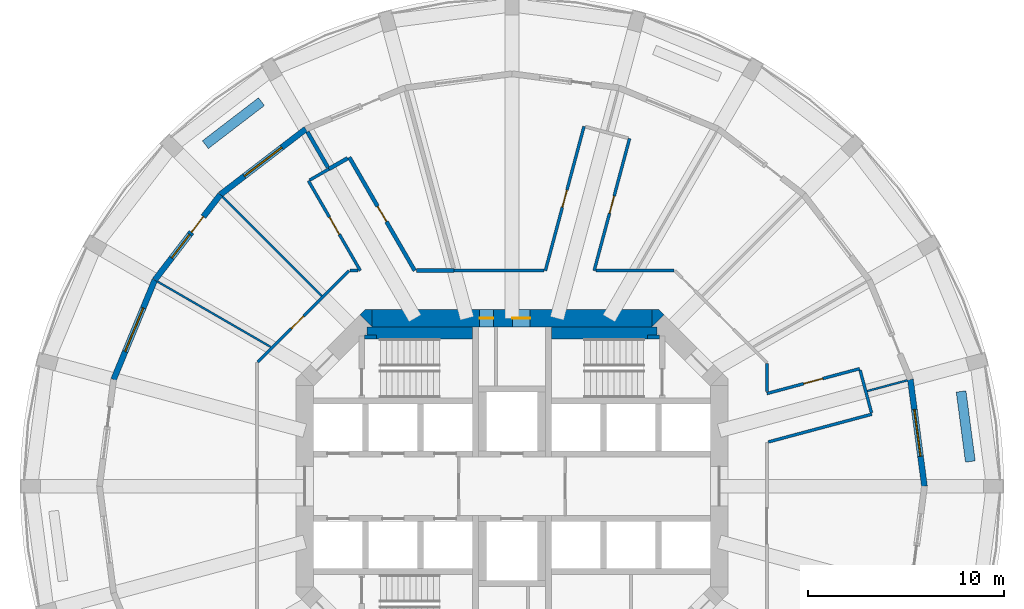
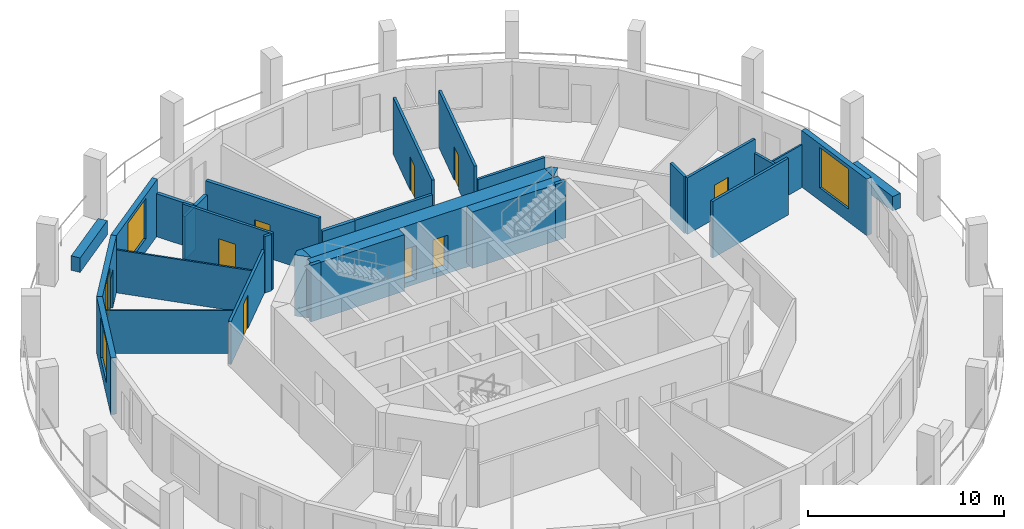
# One storey, part 5 of 8: 32 walls, 9 doors, 4 windows, 13 openings.
"""IFC4 building model written with IfcOpenShell, lengths in metres."""

from ifc_helpers import new_model, si_unit, direction, frame, frame_2d, origin, place, context, subcontext, project, spatial, polyline, rectangle, outline, extrude, material, layer, layer_set, type_object, element, fill, save


model = new_model("IFC4")

# Units and contexts
model_context = context("Model", 3, precision=1e-05, world=origin(), true_north=direction((0.0, 1.0)))
body_context = subcontext(model_context, "Body", "Model", "MODEL_VIEW")
ifc_project = project(units=[si_unit("LENGTHUNIT", "METRE"), si_unit("AREAUNIT", "SQUARE_METRE"), si_unit("VOLUMEUNIT", "CUBIC_METRE"), si_unit("PLANEANGLEUNIT", "RADIAN"), si_unit("MASSUNIT", "GRAM", prefix="KILO")], contexts=[model_context])

# Site, building, storey
site_placement = place(None, origin())
site = spatial("IfcSite", under=ifc_project, at=site_placement, CompositionType="ELEMENT")
building_placement = place(site_placement, origin())
building = spatial("IfcBuilding", under=site, at=building_placement, Name="Torre Triforio", CompositionType="ELEMENT")
storey_placement = place(building_placement, frame((0.0, 0.0, 135.199951171875)))
storey = spatial("IfcBuildingStorey", under=building, at=storey_placement, Name="L30", CompositionType="ELEMENT", Elevation=135.199951171875)

# Wall, openings, doors
ifc_material_1 = material(Name="Concrete C60", Category="concrete")
ifc_layer_1 = layer(ifc_material_1, 0.89990234375)
ifc_layer_set_1 = layer_set([ifc_layer_1], Name="Concrete C60")
wall_type_1 = type_object("IfcWallType", Name="Core wall 900 mm C60 EI 120", PredefinedType="SHEAR", material=ifc_layer_set_1)
wall_1_placement = place(storey_placement, frame((-7.1298828125, 8.550048828125, -0.280029296875), z_axis=(0.0, 0.0, 1.0), x_axis=(1.0, 0.0, 0.0)))
wall_1 = element("IfcWall", 1, at=wall_1_placement, inside=storey, type_object=wall_type_1, Name="Core wall", PredefinedType="SHEAR", context=body_context, shape_type="SweptSolid", body=[
    extrude(rectangle(XDim=14.259765625, YDim=0.89990234375, at=frame_2d((7.1298828125, 0.0))), origin(), (0.0, 0.0, 1.0), 3.800048828125),
])
opening_1_placement = place(wall_1_placement, frame((5.47998046875, 0.0, 0.280029296875)))
opening_1 = element("IfcOpeningElement", 2, at=opening_1_placement, cuts=wall_1, Name="Opening RISER-N", PredefinedType="OPENING", context=body_context, shape_type="SweptSolid", body=[
    extrude(rectangle(XDim=0.699951171875, YDim=2.10009765625, at=frame_2d((0.35009765625, 1.050048828125))), frame((0.0, 0.4599609375, 0.0), z_axis=(0.0, -1.0, 0.0), x_axis=(1.0, 0.0, 0.0)), (0.0, 0.0, 1.0), 0.919921875),
])
opening_2_placement = place(wall_1_placement, frame((7.155029296875, 0.0, 0.280029296875)))
opening_2 = element("IfcOpeningElement", 3, at=opening_2_placement, cuts=wall_1, Name="Opening NE-01", PredefinedType="OPENING", context=body_context, shape_type="SweptSolid", body=[
    extrude(rectangle(XDim=0.89990234375, YDim=2.10009765625, at=frame_2d((0.449951171875, 1.050048828125))), frame((0.0, 0.4599609375, 0.0), z_axis=(0.0, -1.0, 0.0), x_axis=(1.0, 0.0, 0.0)), (0.0, 0.0, 1.0), 0.919921875),
])
ifc_material_2 = material(Name="Hollow metal fire door leaf")
door_type_1 = type_object("IfcDoorType", Name="Riser door 700 x 2100 EI 60", OperationType="NOTDEFINED", PredefinedType="DOOR", material=ifc_material_2)
door_1_placement = place(opening_1_placement, origin())
door_1 = element("IfcDoor", 4, at=door_1_placement, inside=storey, type_object=door_type_1, Name="Core door RISER-N", OperationType="SINGLE_SWING_RIGHT", OverallHeight=2.10009765625, OverallWidth=0.699951171875, PredefinedType="DOOR", context=body_context, shape_type="SweptSolid", body=[
    extrude(rectangle(XDim=0.699951171875, YDim=2.10009765625, at=frame_2d((0.35009765625, 1.050048828125))), frame((0.0, 0.02490234375, 0.0), z_axis=(0.0, -1.0, 0.0), x_axis=(1.0, 0.0, 0.0)), (0.0, 0.0, 1.0), 0.050048828125),
])
fill(opening_1, door_1)
door_type_2 = type_object("IfcDoorType", Name="Room door 900 x 2100 EI 60", OperationType="NOTDEFINED", PredefinedType="DOOR", material=ifc_material_2)
door_2_placement = place(opening_2_placement, origin())
door_2 = element("IfcDoor", 5, at=door_2_placement, inside=storey, type_object=door_type_2, Name="Core door NE-01", OperationType="SINGLE_SWING_RIGHT", OverallHeight=2.10009765625, OverallWidth=0.89990234375, PredefinedType="DOOR", context=body_context, shape_type="SweptSolid", body=[
    extrude(rectangle(XDim=0.89990234375, YDim=2.10009765625, at=frame_2d((0.449951171875, 1.050048828125))), frame((0.0, 0.02490234375, 0.0), z_axis=(0.0, -1.0, 0.0), x_axis=(1.0, 0.0, 0.0)), (0.0, 0.0, 1.0), 0.050048828125),
])
fill(opening_2, door_2)

# Walls
wall_2_placement = place(storey_placement, frame((0.0, 0.0, -0.280029296875)))
element("IfcWall", 6, at=wall_2_placement, inside=storey, type_object=wall_type_1, Name="Core wall", PredefinedType="SHEAR", context=body_context, shape_type="SweptSolid", body=[
    extrude(outline(polyline([(-7.472900390625, 9.0), (-7.1298828125, 9.0), (-7.1298828125, 8.1298828125), (-7.736328125, 8.736328125), (-7.472900390625, 9.0)])), origin(), (0.0, 0.0, 1.0), 3.800048828125),
])
wall_3_placement = place(storey_placement, frame((0.0, 0.0, -0.280029296875)))
element("IfcWall", 7, at=wall_3_placement, inside=storey, type_object=wall_type_1, Name="Core wall", PredefinedType="SHEAR", context=body_context, shape_type="SweptSolid", body=[
    extrude(outline(polyline([(7.472900390625, 9.0), (7.736328125, 8.736328125), (7.1298828125, 8.1298828125), (7.1298828125, 9.0), (7.472900390625, 9.0)])), origin(), (0.0, 0.0, 1.0), 3.800048828125),
])

# Wall, opening, door
ifc_material_3 = material(Name="Plasterboard on metal studs")
ifc_layer_2 = layer(ifc_material_3, 0.14990234375)
ifc_layer_set_2 = layer_set([ifc_layer_2], Name="Plasterboard on metal studs")
wall_type_2 = type_object("IfcWallType", Name="Corridor and tenancy wall 150 mm EI 60", PredefinedType="PARTITIONING", material=ifc_layer_set_2)
wall_4_placement = place(storey_placement, frame((-12.93798828125, 6.327880859375, 0.0), z_axis=(0.0, 0.0, 1.0), x_axis=(0.707088206597, 0.707125355289, 0.0)))
wall_4 = element("IfcWall", 8, at=wall_4_placement, inside=storey, type_object=wall_type_2, Name="Partition 5", PredefinedType="PARTITIONING", context=body_context, shape_type="SweptSolid", body=[
    extrude(rectangle(XDim=6.572021484375, YDim=0.14990234375, at=frame_2d((3.2861328125, 0.0))), origin(), (0.0, 0.0, 1.0), 2.670166015625),
])
opening_3_placement = place(wall_4_placement, frame((2.39794921875, 0.0, 0.0)))
opening_3 = element("IfcOpeningElement", 9, at=opening_3_placement, cuts=wall_4, Name="Opening D2-15", PredefinedType="OPENING", context=body_context, shape_type="SweptSolid", body=[
    extrude(rectangle(XDim=0.89990234375, YDim=2.10009765625, at=frame_2d((0.449951171875, 1.050048828125))), frame((0.0, 0.0849609375, 0.0), z_axis=(0.0, -1.0, 0.0), x_axis=(1.0, 0.0, 0.0)), (0.0, 0.0, 1.0), 0.169921875),
])
ifc_material_4 = material(Name="Timber", Category="wood")
door_type_3 = type_object("IfcDoorType", Name="Door 900 x 2100 single leaf EI 30", OperationType="NOTDEFINED", PredefinedType="DOOR", material=ifc_material_4)
door_3_placement = place(opening_3_placement, origin())
door_3 = element("IfcDoor", 10, at=door_3_placement, inside=storey, type_object=door_type_3, Name="Door D2-15", OperationType="SINGLE_SWING_LEFT", OverallHeight=2.10009765625, OverallWidth=0.89990234375, PredefinedType="DOOR", context=body_context, shape_type="SweptSolid", body=[
    extrude(rectangle(XDim=0.89990234375, YDim=2.10009765625, at=frame_2d((0.449951171875, 1.050048828125))), frame((0.0, 0.02490234375, 0.0), z_axis=(0.0, -1.0, 0.0), x_axis=(1.0, 0.0, 0.0)), (0.0, 0.0, 1.0), 0.050048828125),
])
fill(opening_3, door_3)

# Wall
wall_5_placement = place(storey_placement, frame((-8.23828125, 10.97509765625, 0.0), z_axis=(0.0, 0.0, 1.0), x_axis=(1.0, 0.0, 0.0)))
element("IfcWall", 11, at=wall_5_placement, inside=storey, type_object=wall_type_2, Name="Partition 6", PredefinedType="PARTITIONING", context=body_context, shape_type="SweptSolid", body=[
    extrude(rectangle(XDim=0.38623046875, YDim=0.14990234375, at=frame_2d((0.193115234375, 0.0))), origin(), (0.0, 0.0, 1.0), 3.52001953125),
])

# Wall, opening, door
wall_6_placement = place(storey_placement, frame((-7.72216796875, 10.97509765625, 0.0), z_axis=(0.0, 0.0, 1.0), x_axis=(-0.499981143329, 0.866036290415, 0.0)))
wall_6 = element("IfcWall", 12, at=wall_6_placement, inside=storey, type_object=wall_type_2, Name="Partition 7", PredefinedType="PARTITIONING", context=body_context, shape_type="SweptSolid", body=[
    extrude(rectangle(XDim=5.282958984375, YDim=0.14990234375, at=frame_2d((2.6416015625, 0.0))), origin(), (0.0, 0.0, 1.0), 3.52001953125),
])
opening_4_placement = place(wall_6_placement, frame((2.1416015625, 0.0, 0.0)))
opening_4 = element("IfcOpeningElement", 13, at=opening_4_placement, cuts=wall_6, Name="Opening D2-14", PredefinedType="OPENING", context=body_context, shape_type="SweptSolid", body=[
    extrude(rectangle(XDim=1.0, YDim=2.10009765625, at=frame_2d((0.5, 1.050048828125))), frame((0.0, 0.0849609375, 0.0), z_axis=(0.0, -1.0, 0.0), x_axis=(1.0, 0.0, 0.0)), (0.0, 0.0, 1.0), 0.169921875),
])
door_type_4 = type_object("IfcDoorType", Name="Door 1000 x 2100 single leaf EI 30", OperationType="NOTDEFINED", PredefinedType="DOOR", material=ifc_material_4)
door_4_placement = place(opening_4_placement, origin())
door_4 = element("IfcDoor", 14, at=door_4_placement, inside=storey, type_object=door_type_4, Name="Door D2-14", OperationType="SINGLE_SWING_LEFT", OverallHeight=2.10009765625, OverallWidth=1.0, PredefinedType="DOOR", context=body_context, shape_type="SweptSolid", body=[
    extrude(rectangle(XDim=1.0, YDim=2.10009765625, at=frame_2d((0.5, 1.050048828125))), frame((0.0, 0.02490234375, 0.0), z_axis=(0.0, -1.0, 0.0), x_axis=(1.0, 0.0, 0.0)), (0.0, 0.0, 1.0), 0.050048828125),
])
fill(opening_4, door_4)

# Walls
wall_7_placement = place(storey_placement, frame((-10.298583984375, 15.587890625, 0.0), z_axis=(0.0, 0.0, 1.0), x_axis=(0.86599040064, 0.500060622324, 0.0)))
element("IfcWall", 15, at=wall_7_placement, inside=storey, type_object=wall_type_2, Name="Partition 8", PredefinedType="PARTITIONING", context=body_context, shape_type="SweptSolid", body=[
    extrude(rectangle(XDim=1.124755859375, YDim=0.14990234375, at=frame_2d((0.5625, 0.0))), origin(), (0.0, 0.0, 1.0), 2.670166015625),
])
wall_8_placement = place(storey_placement, frame((-2.940673828125, 10.97509765625, 0.0), z_axis=(0.0, 0.0, 1.0), x_axis=(1.0, 0.0, 0.0)))
element("IfcWall", 16, at=wall_8_placement, inside=storey, type_object=wall_type_2, Name="Partition 12", PredefinedType="PARTITIONING", context=body_context, shape_type="SweptSolid", body=[
    extrude(rectangle(XDim=4.566650390625, YDim=0.14990234375, at=frame_2d((2.283203125, 0.0))), origin(), (0.0, 0.0, 1.0), 2.670166015625),
])

# Wall, opening, door
wall_9_placement = place(storey_placement, frame((1.698486328125, 10.97509765625, 0.0), z_axis=(0.0, 0.0, 1.0), x_axis=(0.258810940308, 0.965927997926, 0.0)))
wall_9 = element("IfcWall", 17, at=wall_9_placement, inside=storey, type_object=wall_type_2, Name="Partition 13", PredefinedType="PARTITIONING", context=body_context, shape_type="SweptSolid", body=[
    extrude(rectangle(XDim=7.60791015625, YDim=0.14990234375, at=frame_2d((3.803955078125, 0.0))), origin(), (0.0, 0.0, 1.0), 3.52001953125),
])
opening_5_placement = place(wall_9_placement, frame((3.35400390625, 0.0, 0.0)))
opening_5 = element("IfcOpeningElement", 18, at=opening_5_placement, cuts=wall_9, Name="Opening D2-12", PredefinedType="OPENING", context=body_context, shape_type="SweptSolid", body=[
    extrude(rectangle(XDim=0.89990234375, YDim=2.10009765625, at=frame_2d((0.449951171875, 1.050048828125))), frame((0.0, 0.0849609375, 0.0), z_axis=(0.0, -1.0, 0.0), x_axis=(1.0, 0.0, 0.0)), (0.0, 0.0, 1.0), 0.169921875),
])
door_5_placement = place(opening_5_placement, origin())
door_5 = element("IfcDoor", 19, at=door_5_placement, inside=storey, type_object=door_type_3, Name="Door D2-12", OperationType="SINGLE_SWING_LEFT", OverallHeight=2.10009765625, OverallWidth=0.89990234375, PredefinedType="DOOR", context=body_context, shape_type="SweptSolid", body=[
    extrude(rectangle(XDim=0.89990234375, YDim=2.10009765625, at=frame_2d((0.449951171875, 1.050048828125))), frame((0.0, 0.02490234375, 0.0), z_axis=(0.0, -1.0, 0.0), x_axis=(1.0, 0.0, 0.0)), (0.0, 0.0, 1.0), 0.050048828125),
])
fill(opening_5, door_5)

wall_10_placement = place(storey_placement, frame((5.98583984375, 17.70263671875, 0.0), z_axis=(0.0, 0.0, 1.0), x_axis=(-0.258831867169, -0.965922390535, 0.0)))
wall_10 = element("IfcWall", 20, at=wall_10_placement, inside=storey, type_object=wall_type_2, Name="Partition 15", PredefinedType="PARTITIONING", context=body_context, shape_type="SweptSolid", body=[
    extrude(rectangle(XDim=6.96484375, YDim=0.14990234375, at=frame_2d((3.482421875, 0.0))), origin(), (0.0, 0.0, 1.0), 3.52001953125),
])
opening_6_placement = place(wall_10_placement, frame((3.032470703125, 0.0, 0.0)))
opening_6 = element("IfcOpeningElement", 21, at=opening_6_placement, cuts=wall_10, Name="Opening D2-11", PredefinedType="OPENING", context=body_context, shape_type="SweptSolid", body=[
    extrude(rectangle(XDim=0.89990234375, YDim=2.10009765625, at=frame_2d((0.449951171875, 1.050048828125))), frame((0.0, 0.0849609375, 0.0), z_axis=(0.0, -1.0, 0.0), x_axis=(1.0, 0.0, 0.0)), (0.0, 0.0, 1.0), 0.169921875),
])
door_6_placement = place(opening_6_placement, origin())
door_6 = element("IfcDoor", 22, at=door_6_placement, inside=storey, type_object=door_type_3, Name="Door D2-11", OperationType="SINGLE_SWING_LEFT", OverallHeight=2.10009765625, OverallWidth=0.89990234375, PredefinedType="DOOR", context=body_context, shape_type="SweptSolid", body=[
    extrude(rectangle(XDim=0.89990234375, YDim=2.10009765625, at=frame_2d((0.449951171875, 1.050048828125))), frame((0.0, 0.02490234375, 0.0), z_axis=(0.0, -1.0, 0.0), x_axis=(1.0, 0.0, 0.0)), (0.0, 0.0, 1.0), 0.050048828125),
])
fill(opening_6, door_6)

# Walls
wall_11_placement = place(storey_placement, frame((4.280517578125, 10.97509765625, 0.0), z_axis=(0.0, 0.0, 1.0), x_axis=(1.0, 0.0, 0.0)))
element("IfcWall", 23, at=wall_11_placement, inside=storey, type_object=wall_type_2, Name="Partition 16", PredefinedType="PARTITIONING", context=body_context, shape_type="SweptSolid", body=[
    extrude(rectangle(XDim=3.957763671875, YDim=0.14990234375, at=frame_2d((1.97900390625, 0.0))), origin(), (0.0, 0.0, 1.0), 2.670166015625),
])
wall_12_placement = place(storey_placement, frame((12.97509765625, 6.23828125, 0.0), z_axis=(0.0, 0.0, 1.0), x_axis=(0.0, -1.0, 0.0)))
element("IfcWall", 24, at=wall_12_placement, inside=storey, type_object=wall_type_2, Name="Partition 18", PredefinedType="PARTITIONING", context=body_context, shape_type="SweptSolid", body=[
    extrude(rectangle(XDim=1.421875, YDim=0.14990234375, at=frame_2d((0.7109375, 0.0))), origin(), (0.0, 0.0, 1.0), 3.52001953125),
])

# Wall, opening, door
wall_13_placement = place(storey_placement, frame((12.97509765625, 4.718994140625, 0.0), z_axis=(0.0, 0.0, 1.0), x_axis=(0.965920440817, 0.258839143121, 0.0)))
wall_13 = element("IfcWall", 25, at=wall_13_placement, inside=storey, type_object=wall_type_2, Name="Partition 19", PredefinedType="PARTITIONING", context=body_context, shape_type="SweptSolid", body=[
    extrude(rectangle(XDim=4.894287109375, YDim=0.14990234375, at=frame_2d((2.447265625, 0.0))), origin(), (0.0, 0.0, 1.0), 3.52001953125),
])
opening_7_placement = place(wall_13_placement, frame((1.947265625, 0.0, 0.0)))
opening_7 = element("IfcOpeningElement", 26, at=opening_7_placement, cuts=wall_13, Name="Opening D2-08", PredefinedType="OPENING", context=body_context, shape_type="SweptSolid", body=[
    extrude(rectangle(XDim=1.0, YDim=2.10009765625, at=frame_2d((0.5, 1.050048828125))), frame((0.0, 0.0849609375, 0.0), z_axis=(0.0, -1.0, 0.0), x_axis=(1.0, 0.0, 0.0)), (0.0, 0.0, 1.0), 0.169921875),
])
door_7_placement = place(opening_7_placement, origin())
door_7 = element("IfcDoor", 27, at=door_7_placement, inside=storey, type_object=door_type_4, Name="Door D2-08", OperationType="SINGLE_SWING_LEFT", OverallHeight=2.10009765625, OverallWidth=1.0, PredefinedType="DOOR", context=body_context, shape_type="SweptSolid", body=[
    extrude(rectangle(XDim=1.0, YDim=2.10009765625, at=frame_2d((0.5, 1.050048828125))), frame((0.0, 0.02490234375, 0.0), z_axis=(0.0, -1.0, 0.0), x_axis=(1.0, 0.0, 0.0)), (0.0, 0.0, 1.0), 0.050048828125),
])
fill(opening_7, door_7)

# Walls
wall_14_placement = place(storey_placement, frame((17.72216796875, 5.913330078125, 0.0), z_axis=(0.0, 0.0, 1.0), x_axis=(0.25879032241, -0.965933522054, 0.0)))
element("IfcWall", 28, at=wall_14_placement, inside=storey, type_object=wall_type_2, Name="Partition 20", PredefinedType="PARTITIONING", context=body_context, shape_type="SweptSolid", body=[
    extrude(rectangle(XDim=2.25, YDim=0.14990234375, at=frame_2d((1.125, 0.0))), origin(), (0.0, 0.0, 1.0), 2.670166015625),
])
wall_15_placement = place(storey_placement, frame((18.32373046875, 3.66748046875, 0.0), z_axis=(0.0, 0.0, 1.0), x_axis=(-0.965932498402, -0.258794143153, 0.0)))
element("IfcWall", 29, at=wall_15_placement, inside=storey, type_object=wall_type_2, Name="Partition 21", PredefinedType="PARTITIONING", context=body_context, shape_type="SweptSolid", body=[
    extrude(rectangle(XDim=5.465087890625, YDim=0.14990234375, at=frame_2d((2.732421875, 0.0))), origin(), (0.0, 0.0, 1.0), 3.52001953125),
])
ifc_layer_3 = layer(ifc_material_3, 0.10009765625)
ifc_layer_set_3 = layer_set([ifc_layer_3], Name="Plasterboard on metal studs")
wall_type_3 = type_object("IfcWallType", Name="Partition 100 mm board on metal studs", PredefinedType="PARTITIONING", material=ifc_layer_set_3)
wall_16_placement = place(storey_placement, frame((18.085693359375, 4.84619140625, 0.0), z_axis=(0.0, 0.0, 1.0), x_axis=(0.965956301772, 0.258705282257, 0.0)))
element("IfcWall", 30, at=wall_16_placement, inside=storey, type_object=wall_type_3, Name="Partition 31", PredefinedType="PARTITIONING", context=body_context, shape_type="SweptSolid", body=[
    extrude(rectangle(XDim=2.113037109375, YDim=0.10009765625, at=frame_2d((1.056640625, 0.0))), origin(), (0.0, 0.0, 1.0), 2.670166015625),
])
wall_17_placement = place(storey_placement, frame((-9.68603515625, 9.68603515625, 0.0), z_axis=(0.0, 0.0, 1.0), x_axis=(-0.707106781187, 0.707106781187, 0.0)))
element("IfcWall", 31, at=wall_17_placement, inside=storey, type_object=wall_type_3, Name="Partition 38", PredefinedType="PARTITIONING", context=body_context, shape_type="SweptSolid", body=[
    extrude(rectangle(XDim=7.138671875, YDim=0.10009765625, at=frame_2d((3.5693359375, 0.0))), origin(), (0.0, 0.0, 1.0), 2.670166015625),
])
wall_18_placement = place(storey_placement, frame((-12.294189453125, 7.097900390625, 0.0), z_axis=(0.0, 0.0, 1.0), x_axis=(-0.866010486135, 0.500025837236, 0.0)))
element("IfcWall", 32, at=wall_18_placement, inside=storey, type_object=wall_type_3, Name="Partition 39", PredefinedType="PARTITIONING", context=body_context, shape_type="SweptSolid", body=[
    extrude(rectangle(XDim=6.640869140625, YDim=0.10009765625, at=frame_2d((3.3203125, 0.0))), origin(), (0.0, 0.0, 1.0), 2.670166015625),
])
ifc_material_5 = material(Name="Masonry block", Category="masonry")
ifc_layer_4 = layer(ifc_material_5, 0.199951171875)
ifc_layer_set_4 = layer_set([ifc_layer_4], Name="Masonry block")
wall_type_4 = type_object("IfcWallType", Name="Plant room wall 200 mm block EI 120", PredefinedType="PARTITIONING", material=ifc_layer_set_4)
wall_19_placement = place(storey_placement, frame((-9.324462890625, 16.150390625, 0.0), z_axis=(0.0, 0.0, 1.0), x_axis=(0.866159722779, 0.499767280476, 0.0)))
element("IfcWall", 33, at=wall_19_placement, inside=storey, type_object=wall_type_4, Name="Partition 9", PredefinedType="PARTITIONING", context=body_context, shape_type="SweptSolid", body=[
    extrude(rectangle(XDim=1.10009765625, YDim=0.199951171875, at=frame_2d((0.550048828125, 0.0))), origin(), (0.0, 0.0, 1.0), 2.670166015625),
])

# Wall, opening, door
wall_20_placement = place(storey_placement, frame((-8.28515625, 16.750244140625, 0.0), z_axis=(0.0, 0.0, 1.0), x_axis=(0.500021399824, -0.866013048238, 0.0)))
wall_20 = element("IfcWall", 34, at=wall_20_placement, inside=storey, type_object=wall_type_4, Name="Partition 10", PredefinedType="PARTITIONING", context=body_context, shape_type="SweptSolid", body=[
    extrude(rectangle(XDim=6.668701171875, YDim=0.199951171875, at=frame_2d((3.33447265625, 0.0))), origin(), (0.0, 0.0, 1.0), 3.52001953125),
])
opening_8_placement = place(wall_20_placement, frame((2.88427734375, 0.0, 0.0)))
opening_8 = element("IfcOpeningElement", 35, at=opening_8_placement, cuts=wall_20, Name="Opening D2-13", PredefinedType="OPENING", context=body_context, shape_type="SweptSolid", body=[
    extrude(rectangle(XDim=0.89990234375, YDim=2.10009765625, at=frame_2d((0.449951171875, 1.050048828125))), frame((0.0, 0.10986328125, 0.0), z_axis=(0.0, -1.0, 0.0), x_axis=(1.0, 0.0, 0.0)), (0.0, 0.0, 1.0), 0.219970703125),
])
door_type_5 = type_object("IfcDoorType", Name="Door 900 x 2100 single leaf EI 60", OperationType="NOTDEFINED", PredefinedType="DOOR", material=ifc_material_2)
door_8_placement = place(opening_8_placement, origin())
door_8 = element("IfcDoor", 36, at=door_8_placement, inside=storey, type_object=door_type_5, Name="Door D2-13", OperationType="SINGLE_SWING_LEFT", OverallHeight=2.10009765625, OverallWidth=0.89990234375, PredefinedType="DOOR", context=body_context, shape_type="SweptSolid", body=[
    extrude(rectangle(XDim=0.89990234375, YDim=2.10009765625, at=frame_2d((0.449951171875, 1.050048828125))), frame((0.0, 0.02490234375, 0.0), z_axis=(0.0, -1.0, 0.0), x_axis=(1.0, 0.0, 0.0)), (0.0, 0.0, 1.0), 0.050048828125),
])
fill(opening_8, door_8)

# Walls
wall_21_placement = place(storey_placement, frame((-4.86328125, 10.97509765625, 0.0), z_axis=(0.0, 0.0, 1.0), x_axis=(1.0, 0.0, 0.0)))
element("IfcWall", 37, at=wall_21_placement, inside=storey, type_object=wall_type_4, Name="Partition 11", PredefinedType="PARTITIONING", context=body_context, shape_type="SweptSolid", body=[
    extrude(rectangle(XDim=1.922607421875, YDim=0.199951171875, at=frame_2d((0.96142578125, 0.0))), origin(), (0.0, 0.0, 1.0), 2.670166015625),
])
wall_22_placement = place(storey_placement, frame((-9.37451171875, 16.23681640625, 0.0), z_axis=(0.0, 0.0, 1.0), x_axis=(-0.499961989906, 0.86604734781, 0.0)))
element("IfcWall", 38, at=wall_22_placement, inside=storey, type_object=wall_type_4, Name="Partition 37", PredefinedType="PARTITIONING", context=body_context, shape_type="SweptSolid", body=[
    extrude(rectangle(XDim=2.088134765625, YDim=0.199951171875, at=frame_2d((1.0439453125, 0.0))), origin(), (0.0, 0.0, 1.0), 2.670166015625),
])
ifc_material_6 = material(Name="Limestone cladding", Category="masonry")
ifc_layer_5 = layer(ifc_material_6, 0.10009765625)
ifc_material_7 = material(Name="Concrete C40", Category="concrete")
ifc_layer_6 = layer(ifc_material_7, 0.39990234375)
ifc_layer_set_5 = layer_set([ifc_layer_5, ifc_layer_6], Name="Limestone cladding / Concrete C40")
wall_type_5 = type_object("IfcWallType", Name="Planter wall 500", PredefinedType="PARAPET", material=ifc_layer_set_5)
for number, where, z_axis, x_axis, name in (
    (39, (23.335693359375, 1.256591796875, 0.0), (0.0, 0.0, 1.0), (-0.130542222659, 0.991442750795, 0.0), "Planter L30 bay 01"),
    (40, (-12.756103515625, 19.580810546875, 0.0), (0.0, 0.0, 1.0), (-0.793384730612, -0.608720518162, 0.0), "Planter L30 bay 09"),
):
    element("IfcWall", number, at=place(storey_placement, frame(where, z_axis=z_axis, x_axis=x_axis)), inside=storey, type_object=wall_type_5, Name=name, PredefinedType="PARAPET", context=body_context, shape_type="SweptSolid", body=[
        extrude(rectangle(XDim=3.60009765625, YDim=0.5, at=frame_2d((1.800048828125, 0.0))), origin(), (0.0, 0.0, 1.0), 0.900146484375),
    ])
ifc_layer_7 = layer(ifc_material_1, 0.199951171875)
ifc_layer_set_6 = layer_set([ifc_layer_7], Name="Concrete C60")
wall_type_6 = type_object("IfcWallType", Name="Stair wall 200 mm C60 EI 120", PredefinedType="SHEAR", material=ifc_layer_set_6)
for number, where, z_axis, x_axis, name in (
    (41, (-7.5, 7.60009765625, 0.0), (0.0, 0.0, 1.0), (1.0, 0.0, 0.0), "Stair wall"),
    (42, (6.89990234375, 7.60009765625, 0.0), (0.0, 0.0, 1.0), (1.0, 0.0, 0.0), "Stair wall"),
):
    element("IfcWall", number, at=place(storey_placement, frame(where, z_axis=z_axis, x_axis=x_axis)), inside=storey, type_object=wall_type_6, Name=name, PredefinedType="SHEAR", context=body_context, shape_type="SweptSolid", body=[
        extrude(rectangle(XDim=0.60009765625, YDim=0.199951171875, at=frame_2d((0.300048828125, 0.0))), origin(), (0.0, 0.0, 1.0), 3.52001953125),
    ])
ifc_layer_8 = layer(ifc_material_1, 0.60009765625)
ifc_layer_set_7 = layer_set([ifc_layer_8], Name="Concrete C60")
wall_type_7 = type_object("IfcWallType", Name="Stair wall 600 mm C60 EI 120", PredefinedType="SHEAR", material=ifc_layer_set_7)
for number, where, z_axis, x_axis, name in (
    (43, (-7.3701171875, 7.800048828125, 0.0), (0.0, 0.0, 1.0), (1.0, 0.0, 0.0), "Stair wall"),
    (44, (2.0, 7.800048828125, 0.0), (0.0, 0.0, 1.0), (1.0, 0.0, 0.0), "Stair wall"),
):
    element("IfcWall", number, at=place(storey_placement, frame(where, z_axis=z_axis, x_axis=x_axis)), inside=storey, type_object=wall_type_7, Name=name, PredefinedType="SHEAR", context=body_context, shape_type="SweptSolid", body=[
        extrude(rectangle(XDim=5.3701171875, YDim=0.60009765625, at=frame_2d((2.68505859375, 0.0))), origin(), (0.0, 0.0, 1.0), 3.52001953125),
    ])

# Wall, opening, window
ifc_layer_9 = layer(ifc_material_6, 0.10009765625)
ifc_layer_10 = layer(ifc_material_7, 0.199951171875)
ifc_layer_set_8 = layer_set([ifc_layer_9, ifc_layer_10], Name="Limestone cladding / Concrete C40")
wall_type_8 = type_object("IfcWallType", Name="Stone-faced composite wall 300", PredefinedType="STANDARD", material=ifc_layer_set_8)
wall_23_placement = place(storey_placement, frame((21.0, 0.0, 0.0), z_axis=(0.0, 0.0, 1.0), x_axis=(-0.130527087244, 0.991444743541, 0.0)))
wall_23 = element("IfcWall", 45, at=wall_23_placement, inside=storey, type_object=wall_type_8, Name="External wall L30 bay 01", PredefinedType="STANDARD", context=body_context, shape_type="SweptSolid", body=[
    extrude(rectangle(XDim=5.482177734375, YDim=0.300048828125, at=frame_2d((2.7412109375, 0.0))), origin(), (0.0, 0.0, 1.0), 3.52001953125),
])
opening_9_placement = place(wall_23_placement, frame((1.541015625, 0.0, 0.800048828125)))
opening_9 = element("IfcOpeningElement", 46, at=opening_9_placement, cuts=wall_23, Name="Opening D2-W01", PredefinedType="OPENING", context=body_context, shape_type="SweptSolid", body=[
    extrude(rectangle(XDim=2.39990234375, YDim=2.5, at=frame_2d((1.199951171875, 1.25))), frame((0.0, 0.159912109375, 0.0), z_axis=(0.0, -1.0, 0.0), x_axis=(1.0, 0.0, 0.0)), (0.0, 0.0, 1.0), 0.320068359375),
])
ifc_material_8 = material(Name="Aluminium frame with clear double glazing", Category="aluminium")
window_type_1 = type_object("IfcWindowType", Name="Punched window 2400 x 2500", PartitioningType="DOUBLE_PANEL_VERTICAL", PredefinedType="WINDOW", material=ifc_material_8)
window_1_placement = place(opening_9_placement, origin())
window_1 = element("IfcWindow", 47, at=window_1_placement, inside=storey, type_object=window_type_1, Name="Window EWN3 L30 bay 01", OverallHeight=2.5, OverallWidth=2.39990234375, PartitioningType="SINGLE_PANEL", PredefinedType="WINDOW", context=body_context, shape_type="SweptSolid", body=[
    extrude(rectangle(XDim=2.39990234375, YDim=2.5, at=frame_2d((1.199951171875, 1.25))), frame((0.0, 0.030029296875, 0.0), z_axis=(0.0, -1.0, 0.0), x_axis=(1.0, 0.0, 0.0)), (0.0, 0.0, 1.0), 0.06005859375),
])
fill(opening_9, window_1)

wall_24_placement = place(storey_placement, frame((-10.5, 18.1865234375, 0.0), z_axis=(0.0, 0.0, 1.0), x_axis=(-0.793335336593, -0.608784891166, 0.0)))
wall_24 = element("IfcWall", 48, at=wall_24_placement, inside=storey, type_object=wall_type_8, Name="External wall L30 bay 09", PredefinedType="STANDARD", context=body_context, shape_type="SweptSolid", body=[
    extrude(rectangle(XDim=5.482177734375, YDim=0.300048828125, at=frame_2d((2.7412109375, 0.0))), origin(), (0.0, 0.0, 1.0), 3.52001953125),
])
opening_10_placement = place(wall_24_placement, frame((1.541015625, 0.0, 0.800048828125)))
opening_10 = element("IfcOpeningElement", 49, at=opening_10_placement, cuts=wall_24, Name="Opening D2-W09", PredefinedType="OPENING", context=body_context, shape_type="SweptSolid", body=[
    extrude(rectangle(XDim=2.39990234375, YDim=2.5, at=frame_2d((1.199951171875, 1.25))), frame((0.0, 0.159912109375, 0.0), z_axis=(0.0, -1.0, 0.0), x_axis=(1.0, 0.0, 0.0)), (0.0, 0.0, 1.0), 0.320068359375),
])
window_2_placement = place(opening_10_placement, origin())
window_2 = element("IfcWindow", 50, at=window_2_placement, inside=storey, type_object=window_type_1, Name="Window EWN3 L30 bay 09", OverallHeight=2.5, OverallWidth=2.39990234375, PartitioningType="SINGLE_PANEL", PredefinedType="WINDOW", context=body_context, shape_type="SweptSolid", body=[
    extrude(rectangle(XDim=2.39990234375, YDim=2.5, at=frame_2d((1.199951171875, 1.25))), frame((0.0, 0.030029296875, 0.0), z_axis=(0.0, -1.0, 0.0), x_axis=(1.0, 0.0, 0.0)), (0.0, 0.0, 1.0), 0.06005859375),
])
fill(opening_10, window_2)

# Wall, openings, door, window
wall_25_placement = place(storey_placement, frame((-14.84912109375, 14.84912109375, 0.0), z_axis=(0.0, 0.0, 1.0), x_axis=(-0.608784891166, -0.793335336593, 0.0)))
wall_25 = element("IfcWall", 51, at=wall_25_placement, inside=storey, type_object=wall_type_8, Name="External wall L30 bay 10", PredefinedType="STANDARD", context=body_context, shape_type="SweptSolid", body=[
    extrude(rectangle(XDim=5.482177734375, YDim=0.300048828125, at=frame_2d((2.7412109375, 0.0))), origin(), (0.0, 0.0, 1.0), 3.52001953125),
])
opening_11_placement = place(wall_25_placement, frame((1.416015625, 0.0, 0.0)))
opening_11 = element("IfcOpeningElement", 52, at=opening_11_placement, cuts=wall_25, Name="Opening D2-D10", PredefinedType="OPENING", context=body_context, shape_type="SweptSolid", body=[
    extrude(rectangle(XDim=1.0, YDim=2.39990234375, at=frame_2d((0.5, 1.199951171875))), frame((0.0, 0.159912109375, 0.0), z_axis=(0.0, -1.0, 0.0), x_axis=(1.0, 0.0, 0.0)), (0.0, 0.0, 1.0), 0.320068359375),
])
opening_12_placement = place(wall_25_placement, frame((2.56591796875, 0.0, 0.800048828125)))
opening_12 = element("IfcOpeningElement", 53, at=opening_12_placement, cuts=wall_25, Name="Opening D2-W10A", PredefinedType="OPENING", context=body_context, shape_type="SweptSolid", body=[
    extrude(rectangle(XDim=1.5, YDim=2.5, at=frame_2d((0.75, 1.25))), frame((0.0, 0.159912109375, 0.0), z_axis=(0.0, -1.0, 0.0), x_axis=(1.0, 0.0, 0.0)), (0.0, 0.0, 1.0), 0.320068359375),
])
door_type_6 = type_object("IfcDoorType", Name="Loggia door 1000 x 2400", OperationType="NOTDEFINED", PredefinedType="DOOR", material=ifc_material_8)
door_9_placement = place(opening_11_placement, origin())
door_9 = element("IfcDoor", 54, at=door_9_placement, inside=storey, type_object=door_type_6, Name="Loggia door L30 bay 10", OperationType="SINGLE_SWING_LEFT", OverallHeight=2.39990234375, OverallWidth=1.0, PredefinedType="DOOR", context=body_context, shape_type="SweptSolid", body=[
    extrude(rectangle(XDim=1.0, YDim=2.39990234375, at=frame_2d((0.5, 1.199951171875))), frame((0.0, 0.02490234375, 0.0), z_axis=(0.0, -1.0, 0.0), x_axis=(1.0, 0.0, 0.0)), (0.0, 0.0, 1.0), 0.050048828125),
])
fill(opening_11, door_9)
window_type_2 = type_object("IfcWindowType", Name="Side window 1500 x 2500", PartitioningType="SINGLE_PANEL", PredefinedType="WINDOW", material=ifc_material_8)
window_3_placement = place(opening_12_placement, origin())
window_3 = element("IfcWindow", 55, at=window_3_placement, inside=storey, type_object=window_type_2, Name="Side window EWN13 L30 bay 10", OverallHeight=2.5, OverallWidth=1.5, PartitioningType="SINGLE_PANEL", PredefinedType="WINDOW", context=body_context, shape_type="SweptSolid", body=[
    extrude(rectangle(XDim=1.5, YDim=2.5, at=frame_2d((0.75, 1.25))), frame((0.0, 0.030029296875, 0.0), z_axis=(0.0, -1.0, 0.0), x_axis=(1.0, 0.0, 0.0)), (0.0, 0.0, 1.0), 0.06005859375),
])
fill(opening_12, window_3)

# Wall, opening, window
wall_26_placement = place(storey_placement, frame((-18.1865234375, 10.5, 0.0), z_axis=(0.0, 0.0, 1.0), x_axis=(-0.382688740813, -0.923877333662, 0.0)))
wall_26 = element("IfcWall", 56, at=wall_26_placement, inside=storey, type_object=wall_type_8, Name="External wall L30 bay 11", PredefinedType="STANDARD", context=body_context, shape_type="SweptSolid", body=[
    extrude(rectangle(XDim=5.48193359375, YDim=0.300048828125, at=frame_2d((2.740966796875, 0.0))), origin(), (0.0, 0.0, 1.0), 3.52001953125),
])
opening_13_placement = place(wall_26_placement, frame((1.541015625, 0.0, 0.800048828125)))
opening_13 = element("IfcOpeningElement", 57, at=opening_13_placement, cuts=wall_26, Name="Opening D2-W11", PredefinedType="OPENING", context=body_context, shape_type="SweptSolid", body=[
    extrude(rectangle(XDim=2.39990234375, YDim=2.5, at=frame_2d((1.199951171875, 1.25))), frame((0.0, 0.159912109375, 0.0), z_axis=(0.0, -1.0, 0.0), x_axis=(1.0, 0.0, 0.0)), (0.0, 0.0, 1.0), 0.320068359375),
])
window_4_placement = place(opening_13_placement, origin())
window_4 = element("IfcWindow", 58, at=window_4_placement, inside=storey, type_object=window_type_1, Name="Window EWN3 L30 bay 11", OverallHeight=2.5, OverallWidth=2.39990234375, PartitioningType="SINGLE_PANEL", PredefinedType="WINDOW", context=body_context, shape_type="SweptSolid", body=[
    extrude(rectangle(XDim=2.39990234375, YDim=2.5, at=frame_2d((1.199951171875, 1.25))), frame((0.0, 0.030029296875, 0.0), z_axis=(0.0, -1.0, 0.0), x_axis=(1.0, 0.0, 0.0)), (0.0, 0.0, 1.0), 0.06005859375),
])
fill(opening_13, window_4)

save(model, "model.ifc")
